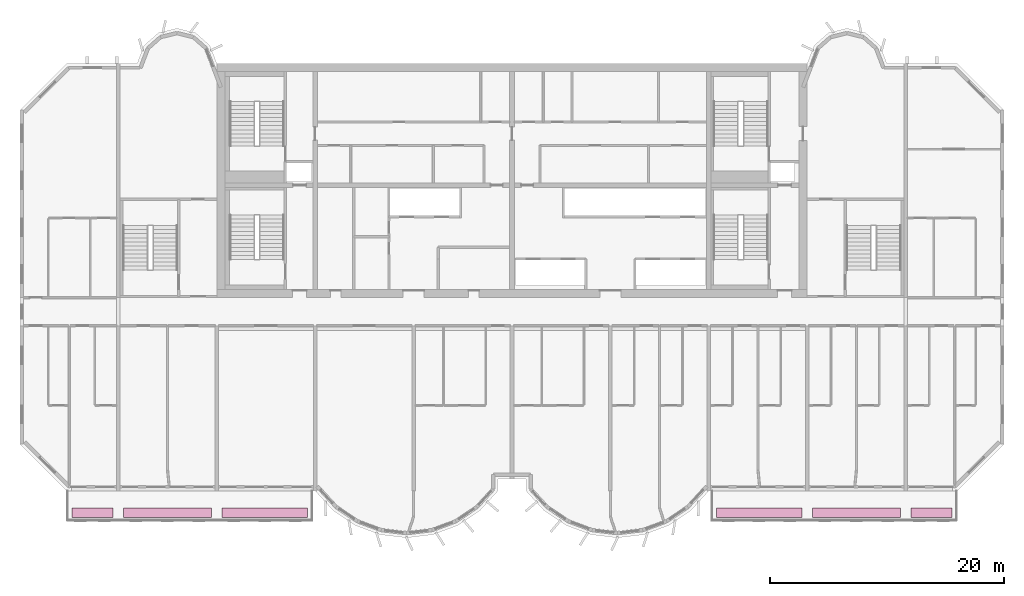
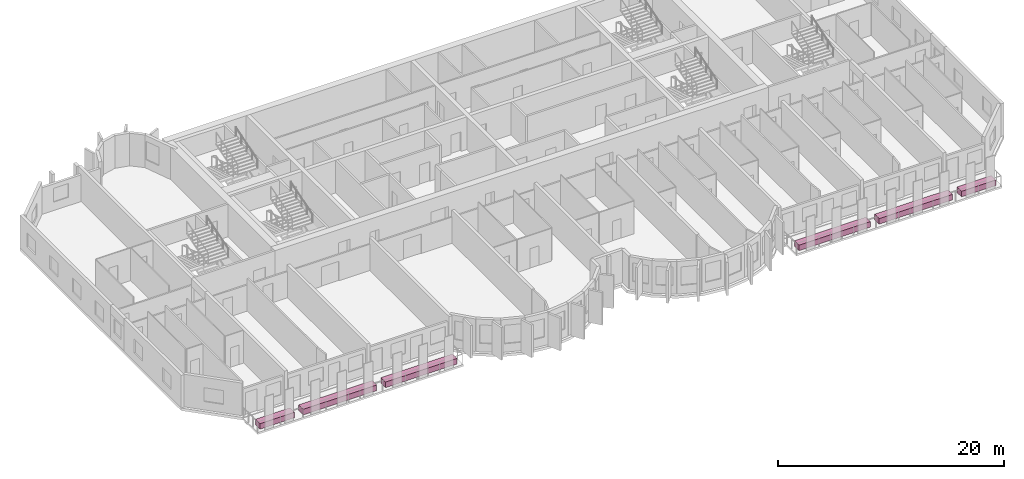
# One storey, part 13 of 13: 6 furniture elements.
"""IFC4 building model written with IfcOpenShell, lengths in metres."""

from ifc_helpers import new_model, si_unit, direction, frame, origin, origin_2d, place, context, subcontext, project, spatial, rectangle, extrude, source, transform, mapped, material, type_object, element, save


model = new_model("IFC4")

# Units and contexts
model_context = context("Model", 3, precision=1e-05, world=origin(), true_north=direction((0.0, 1.0)))
body_context = subcontext(model_context, "Body", "Model", "MODEL_VIEW")
ifc_project = project(units=[si_unit("LENGTHUNIT", "METRE"), si_unit("AREAUNIT", "SQUARE_METRE"), si_unit("VOLUMEUNIT", "CUBIC_METRE"), si_unit("PLANEANGLEUNIT", "RADIAN"), si_unit("MASSUNIT", "GRAM", prefix="KILO")], contexts=[model_context])

# Site, building, storey
site_placement = place(None, origin())
site = spatial("IfcSite", under=ifc_project, at=site_placement, CompositionType="ELEMENT")
building_placement = place(site_placement, origin())
building = spatial("IfcBuilding", under=site, at=building_placement, Name="Vanashikhar Sky Hotel", CompositionType="ELEMENT")
storey_placement = place(building_placement, frame((0.0, 0.0, 193.39990234375)))
storey = spatial("IfcBuildingStorey", under=building, at=storey_placement, Name="L47", CompositionType="ELEMENT", Elevation=193.39990234375)

# Furniture
ifc_material = material(Name="Planting soil and shrubs")
furniture_type = type_object("IfcFurnitureType", Name="Planter trough", AssemblyPlace="NOTDEFINED", PredefinedType="USERDEFINED", material=ifc_material)
shared_shape_1 = source(origin(), body_context, "Body", "SweptSolid", [
    extrude(rectangle(XDim=3.5, YDim=0.800048828125, at=origin_2d()), origin(), (0.0, 0.0, 1.0), 0.60009765625),
])
for number, where, z_axis, x_axis, name in (
    (1, (14.60009765625, 3.64990234375, -0.050048828125), (0.0, 0.0, 1.0), (1.0, 0.0, 0.0), "PLANTER with climbers"),
    (2, (86.199951171875, 3.64990234375, -0.050048828125), (0.0, 0.0, 1.0), (1.0, 0.0, 0.0), "PLANTER with climbers"),
):
    element("IfcFurniture", number, at=place(storey_placement, frame(where, z_axis=z_axis, x_axis=x_axis)), inside=storey, type_object=furniture_type, Name=name, ObjectType="PLANTER", PredefinedType="USERDEFINED", context=body_context, shape_type="MappedRepresentation", body=[
        mapped(shared_shape_1, transform((0.0, 0.0, 0.0), scale=1.0)),
    ])
shared_shape_2 = source(origin(), body_context, "Body", "SweptSolid", [
    extrude(rectangle(XDim=7.5, YDim=0.800048828125, at=origin_2d()), origin(), (0.0, 0.0, 1.0), 0.60009765625),
])
for number, where, z_axis, x_axis, name in (
    (3, (21.0, 3.64990234375, -0.050048828125), (0.0, 0.0, 1.0), (1.0, 0.0, 0.0), "PLANTER with climbers"),
    (4, (79.800048828125, 3.64990234375, -0.050048828125), (0.0, 0.0, 1.0), (1.0, 0.0, 0.0), "PLANTER with climbers"),
):
    element("IfcFurniture", number, at=place(storey_placement, frame(where, z_axis=z_axis, x_axis=x_axis)), inside=storey, type_object=furniture_type, Name=name, ObjectType="PLANTER", PredefinedType="USERDEFINED", context=body_context, shape_type="MappedRepresentation", body=[
        mapped(shared_shape_2, transform((0.0, 0.0, 0.0), scale=1.0)),
    ])
shared_shape_3 = source(origin(), body_context, "Body", "SweptSolid", [
    extrude(rectangle(XDim=7.300048828125, YDim=0.800048828125, at=origin_2d()), origin(), (0.0, 0.0, 1.0), 0.60009765625),
])
for number, where, z_axis, x_axis, name in (
    (5, (29.300048828125, 3.64990234375, -0.050048828125), (0.0, 0.0, 1.0), (1.0, 0.0, 0.0), "PLANTER with climbers"),
    (6, (71.5, 3.64990234375, -0.050048828125), (0.0, 0.0, 1.0), (1.0, 0.0, 0.0), "PLANTER with climbers"),
):
    element("IfcFurniture", number, at=place(storey_placement, frame(where, z_axis=z_axis, x_axis=x_axis)), inside=storey, type_object=furniture_type, Name=name, ObjectType="PLANTER", PredefinedType="USERDEFINED", context=body_context, shape_type="MappedRepresentation", body=[
        mapped(shared_shape_3, transform((0.0, 0.0, 0.0), scale=1.0)),
    ])

save(model, "model.ifc")
